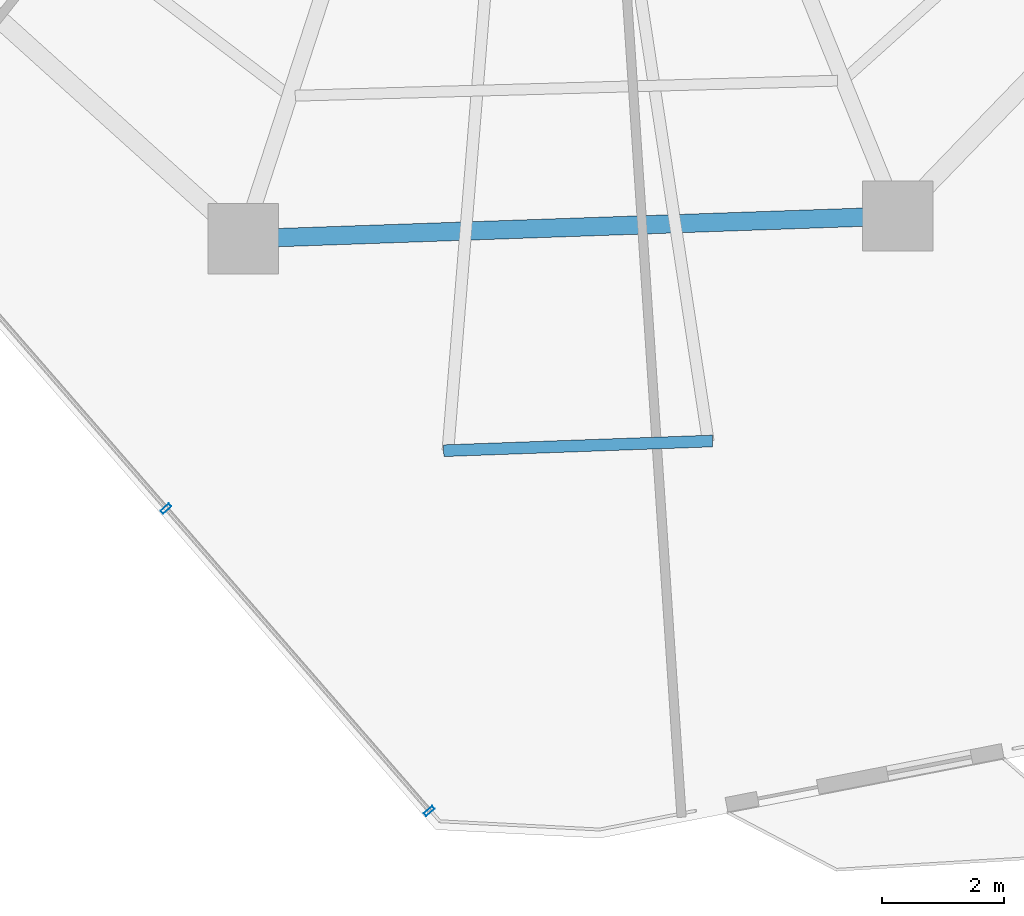
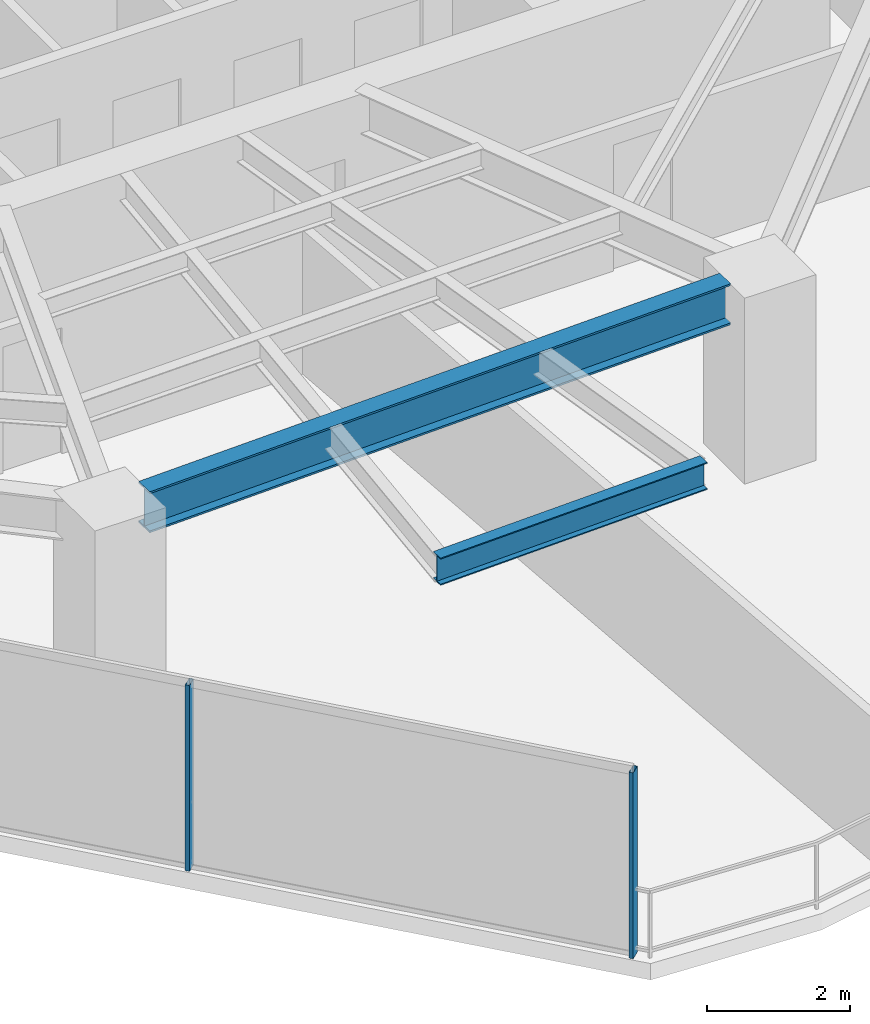
# One storey, part 5 of 27: 2 beams, 2 members, 1 element without a shape of its own.
"""IFC4 building model written with IfcOpenShell, lengths in metres."""

from ifc_helpers import new_model, si_unit, direction, frame, origin, origin_2d, place, context, subcontext, project, spatial, hollow_rectangle, i_section, extrude, material, layer, layer_set, material_profile, profile_set, type_object, element, aggregate, save


model = new_model("IFC4")

# Units and contexts
model_context = context("Model", 3, precision=1e-05, world=origin(), true_north=direction((0.0, 1.0)))
body_context = subcontext(model_context, "Body", "Model", "MODEL_VIEW")
ifc_project = project(units=[si_unit("LENGTHUNIT", "METRE"), si_unit("AREAUNIT", "SQUARE_METRE"), si_unit("VOLUMEUNIT", "CUBIC_METRE"), si_unit("PLANEANGLEUNIT", "RADIAN"), si_unit("MASSUNIT", "GRAM", prefix="KILO")], contexts=[model_context])

# Site, building, storey
site_placement = place(None, origin())
site = spatial("IfcSite", under=ifc_project, at=site_placement, CompositionType="ELEMENT")
building_placement = place(site_placement, origin())
building = spatial("IfcBuilding", under=site, at=building_placement, Name="Qarnah Convention Tower", CompositionType="ELEMENT")
storey_placement = place(building_placement, frame((0.0, 0.0, 107.39990234375)))
storey = spatial("IfcBuildingStorey", under=building, at=storey_placement, Name="L28", CompositionType="ELEMENT", Elevation=107.39990234375)

# Beams
ifc_material_1 = material(Name="Structural steel S355JR", Category="steel")
ifc_material_profile_1 = material_profile(ifc_material_1, i_section(OverallWidth=0.19189453125, OverallDepth=0.464111328125, WebThickness=0.010986328125, FlangeThickness=0.01806640625, at=origin_2d()), Name="W460X89")
ifc_profile_set_1 = profile_set([ifc_material_profile_1], Name="Structural steel S355JR")
beam_type_1 = type_object("IfcBeamType", Name="BM-CANT-W460A", PredefinedType="BEAM", material=ifc_profile_set_1)
beam_1_placement = place(storey_placement, frame((40.035888671875, 8.2109375, 2.93798828125), z_axis=(-0.999347061952, -0.036131008404, 0.0), x_axis=(0.036131008404, -0.999347061952, 0.0)))
element("IfcBeam", 1, at=beam_1_placement, inside=storey, type_object=beam_type_1, Name="L28 spandrel BM-L28-CTIE-03", PredefinedType="SPANDREL", context=body_context, shape_type="SweptSolid", body=[
    extrude(i_section(OverallWidth=0.19189453125, OverallDepth=0.464111328125, WebThickness=0.010986328125, FlangeThickness=0.01806640625, at=origin_2d()), origin(), (0.0, 0.0, 1.0), 4.39892578125),
])
ifc_material_profile_2 = material_profile(ifc_material_1, i_section(OverallWidth=0.300048828125, OverallDepth=0.699951171875, WebThickness=0.01708984375, FlangeThickness=0.031982421875, at=origin_2d()), Name="HEB700")
ifc_profile_set_2 = profile_set([ifc_material_profile_2], Name="Structural steel S355JR")
beam_type_2 = type_object("IfcBeamType", Name="BM-RING-HEB700", PredefinedType="BEAM", material=ifc_profile_set_2)
beam_2_placement = place(storey_placement, frame((32.928955078125, 11.535888671875, 2.820068359375), z_axis=(0.999390577592, 0.03490663862, 0.0), x_axis=(-0.03490663862, 0.999390577592, 0.0)))
element("IfcBeam", 2, at=beam_2_placement, inside=storey, type_object=beam_type_2, Name="L28 beam BM-L28-SPN-07", PredefinedType="BEAM", context=body_context, shape_type="SweptSolid", body=[
    extrude(i_section(OverallWidth=0.300048828125, OverallDepth=0.699951171875, WebThickness=0.01708984375, FlangeThickness=0.031982421875, at=origin_2d()), origin(), (0.0, 0.0, 1.0), 9.574951171875),
])

# Curtain wall, members
ifc_material_2 = material(Name="Tempered Low-E dark glass", Category="glass")
ifc_layer = layer(ifc_material_2, 0.169921875)
ifc_layer_set = layer_set([ifc_layer], Name="Tempered Low-E dark glass")
curtain_wall_type = type_object("IfcCurtainWallType", Name="CWS-02", PredefinedType="NOTDEFINED", material=ifc_layer_set)
curtain_wall_placement = place(storey_placement, origin())
curtain_wall = element("IfcCurtainWall", 3, at=curtain_wall_placement, inside=storey, type_object=curtain_wall_type, Name="L28 unitised curtain wall CW-L28-F3", PredefinedType="NOTDEFINED")
ifc_material_3 = material(Name="Black anodised aluminium", Category="aluminium")
ifc_material_profile_3 = material_profile(ifc_material_3, hollow_rectangle(XDim=0.06494140625, YDim=0.179931640625, WallThickness=0.00390625, at=origin_2d()), Name="MUL-65X180")
ifc_profile_set_3 = profile_set([ifc_material_profile_3], Name="Black anodised aluminium")
member_type = type_object("IfcMemberType", Name="MUL-T2", PredefinedType="MULLION", material=ifc_profile_set_3)
member_1_placement = place(storey_placement, frame((35.405029296875, 2.162109375, 0.0), z_axis=(0.0, 0.0, 1.0), x_axis=(-0.6565842682, 0.754252675668, 0.0)))
member_1 = element("IfcMember", 4, at=member_1_placement, type_object=member_type, Name="CW-L28-F3 mullion 1", PredefinedType="MULLION", context=body_context, shape_type="SweptSolid", body=[
    extrude(hollow_rectangle(XDim=0.06494140625, YDim=0.179931640625, WallThickness=0.00390625, at=origin_2d()), origin(), (0.0, 0.0, 1.0), 3.170166015625),
])
member_2_placement = place(storey_placement, frame((31.101318359375, 7.10595703125, 0.0), z_axis=(0.0, 0.0, 1.0), x_axis=(-0.6565842682, 0.754252675668, 0.0)))
member_2 = element("IfcMember", 5, at=member_2_placement, type_object=member_type, Name="CW-L28-F3 mullion 2", PredefinedType="MULLION", context=body_context, shape_type="SweptSolid", body=[
    extrude(hollow_rectangle(XDim=0.06494140625, YDim=0.179931640625, WallThickness=0.00390625, at=origin_2d()), origin(), (0.0, 0.0, 1.0), 3.170166015625),
])
aggregate(curtain_wall, [member_1, member_2])

save(model, "model.ifc")
